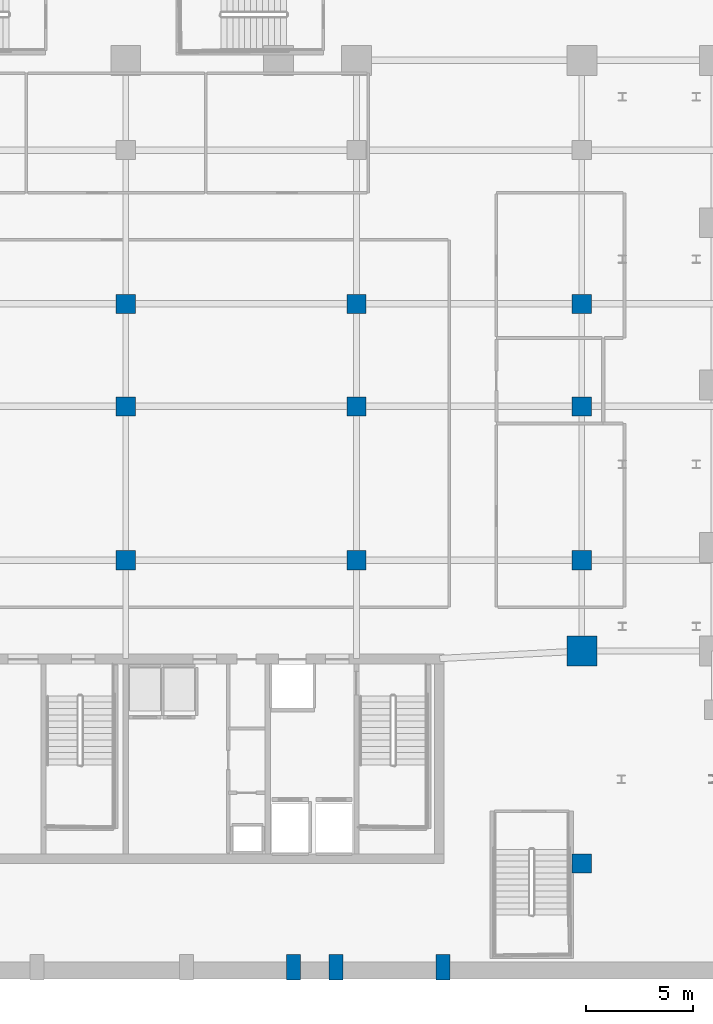
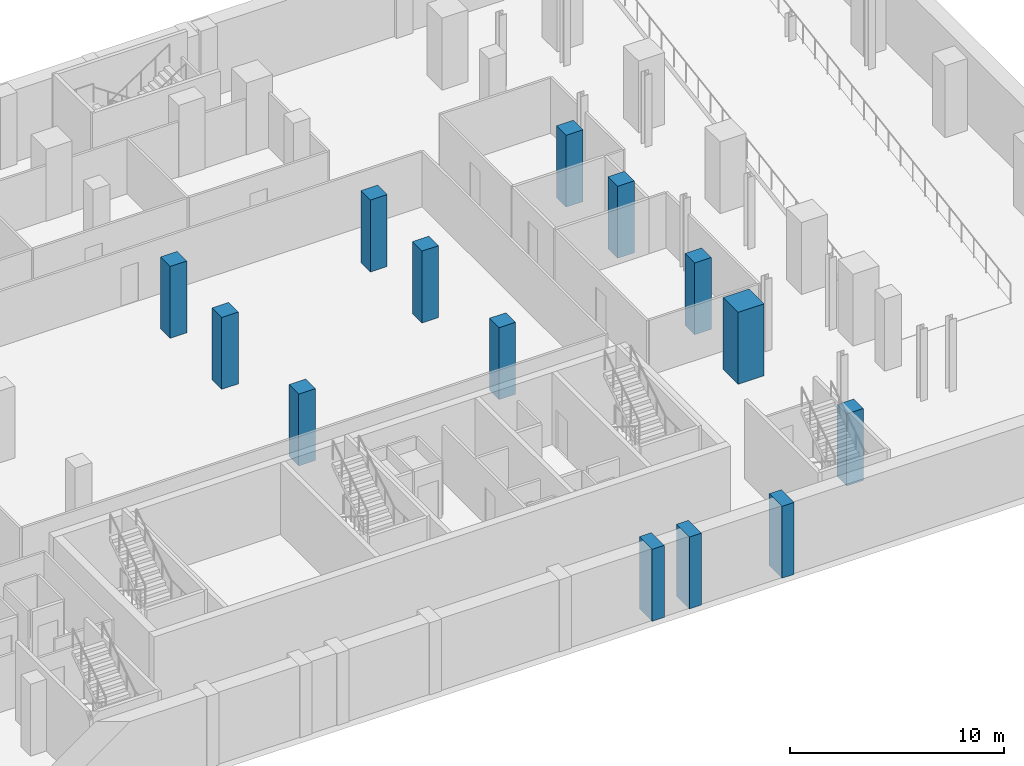
# One storey, part 2 of 18: 14 columns.
"""IFC4 building model written with IfcOpenShell, lengths in metres."""

from ifc_helpers import new_model, si_unit, direction, frame, origin, origin_2d, place, context, subcontext, project, spatial, rectangle, extrude, material, material_profile, profile_set, type_object, element, save


model = new_model("IFC4")

# Units and contexts
model_context = context("Model", 3, precision=1e-05, world=origin(), true_north=direction((0.0, 1.0)))
body_context = subcontext(model_context, "Body", "Model", "MODEL_VIEW")
ifc_project = project(units=[si_unit("LENGTHUNIT", "METRE"), si_unit("AREAUNIT", "SQUARE_METRE"), si_unit("VOLUMEUNIT", "CUBIC_METRE"), si_unit("PLANEANGLEUNIT", "RADIAN"), si_unit("MASSUNIT", "GRAM", prefix="KILO")], contexts=[model_context])

# Site, building, storey
site_placement = place(None, origin())
site = spatial("IfcSite", under=ifc_project, at=site_placement, CompositionType="ELEMENT")
building_placement = place(site_placement, origin())
building = spatial("IfcBuilding", under=site, at=building_placement, Name="Ndaravel Arena Tower", CompositionType="ELEMENT")
storey_placement = place(building_placement, frame((0.0, 0.0, -4.5)))
storey = spatial("IfcBuildingStorey", under=building, at=storey_placement, Name="B01", CompositionType="ELEMENT", Elevation=-4.5)

# Columns
ifc_material_1 = material(Name="Concrete C40/50", Category="concrete")
ifc_material_profile_1 = material_profile(ifc_material_1, rectangle(XDim=0.89990234375, YDim=0.89990234375, at=origin_2d()), Name="RC 900x900")
ifc_profile_set_1 = profile_set([ifc_material_profile_1], Name="Concrete C40/50")
column_type_1 = type_object("IfcColumnType", Name="COL-BSMT-RC900", PredefinedType="COLUMN", material=ifc_profile_set_1)
for number, where, z_axis, x_axis, name in (
    (1, (64.0, 5.39990234375, 0.0), (0.0, 0.0, 1.0), (1.0, 0.0, 0.0), "B01 South Concourse Column 02"),
    (2, (42.64990234375, 19.60009765625, 0.0), (0.0, 0.0, 1.0), (1.0, 0.0, 0.0), "B01 Sub-Court Column 09"),
    (3, (42.64990234375, 26.800048828125, 0.0), (0.0, 0.0, 1.0), (1.0, 0.0, 0.0), "B01 Sub-Court Column 10"),
    (4, (42.64990234375, 31.60009765625, 0.0), (0.0, 0.0, 1.0), (1.0, 0.0, 0.0), "B01 Sub-Court Column 11"),
    (5, (53.449951171875, 19.60009765625, 0.0), (0.0, 0.0, 1.0), (1.0, 0.0, 0.0), "B01 Sub-Court Column 13"),
    (6, (53.449951171875, 26.800048828125, 0.0), (0.0, 0.0, 1.0), (1.0, 0.0, 0.0), "B01 Sub-Court Column 14"),
    (7, (53.449951171875, 31.60009765625, 0.0), (0.0, 0.0, 1.0), (1.0, 0.0, 0.0), "B01 Sub-Court Column 15"),
    (8, (64.0, 19.60009765625, 0.0), (0.0, 0.0, 1.0), (1.0, 0.0, 0.0), "B01 Sub-Court Column 17"),
    (9, (64.0, 26.800048828125, 0.0), (0.0, 0.0, 1.0), (1.0, 0.0, 0.0), "B01 Sub-Court Column 18"),
    (10, (64.0, 31.60009765625, 0.0), (0.0, 0.0, 1.0), (1.0, 0.0, 0.0), "B01 Sub-Court Column 19"),
):
    element("IfcColumn", number, at=place(storey_placement, frame(where, z_axis=z_axis, x_axis=x_axis)), inside=storey, type_object=column_type_1, Name=name, PredefinedType="COLUMN", context=body_context, shape_type="SweptSolid", body=[
        extrude(rectangle(XDim=0.89990234375, YDim=0.89990234375, at=origin_2d()), origin(), (0.0, 0.0, 1.0), 4.10009765625),
    ])
ifc_material_2 = material(Name="Concrete C60/75", Category="concrete")
ifc_material_profile_2 = material_profile(ifc_material_2, rectangle(XDim=1.39990234375, YDim=1.39990234375, at=origin_2d()), Name="RC 1400x1400")
ifc_profile_set_2 = profile_set([ifc_material_profile_2], Name="Concrete C60/75")
column_type_2 = type_object("IfcColumnType", Name="COL-MEGA-RC1400", PredefinedType="COLUMN", material=ifc_profile_set_2)
column_placement = place(storey_placement, frame((64.0, 15.35009765625, 0.0), z_axis=(0.0, 0.0, 1.0), x_axis=(1.0, 0.0, 0.0)))
element("IfcColumn", 11, at=column_placement, inside=storey, type_object=column_type_2, Name="B01 Arena Ring Mega Column 12", PredefinedType="COLUMN", context=body_context, shape_type="SweptSolid", body=[
    extrude(rectangle(XDim=1.39990234375, YDim=1.39990234375, at=origin_2d()), origin(), (0.0, 0.0, 1.0), 4.10009765625),
])
ifc_material_3 = material(Name="Concrete C40/50", Category="concrete")
ifc_material_profile_3 = material_profile(ifc_material_3, rectangle(XDim=0.64990234375, YDim=1.199951171875, at=origin_2d()), Name="RC 650x1200")
ifc_profile_set_3 = profile_set([ifc_material_profile_3], Name="Concrete C40/50")
column_type_3 = type_object("IfcColumnType", Name="COL-PIL-RC650", PredefinedType="PILASTER", material=ifc_profile_set_3)
for number, where, z_axis, x_axis, name in (
    (12, (50.5, 0.550048828125, 0.0), (0.0, 0.0, 1.0), (1.0, 0.0, 0.0), "B01 South Foyer Pilaster 06"),
    (13, (52.5, 0.550048828125, 0.0), (0.0, 0.0, 1.0), (1.0, 0.0, 0.0), "B01 South Foyer Pilaster 07"),
    (14, (57.5, 0.550048828125, 0.0), (0.0, 0.0, 1.0), (1.0, 0.0, 0.0), "B01 South Foyer Pilaster 08"),
):
    element("IfcColumn", number, at=place(storey_placement, frame(where, z_axis=z_axis, x_axis=x_axis)), inside=storey, type_object=column_type_3, Name=name, PredefinedType="PILASTER", context=body_context, shape_type="SweptSolid", body=[
        extrude(rectangle(XDim=0.64990234375, YDim=1.199951171875, at=origin_2d()), origin(), (0.0, 0.0, 1.0), 4.10009765625),
    ])

save(model, "model.ifc")
